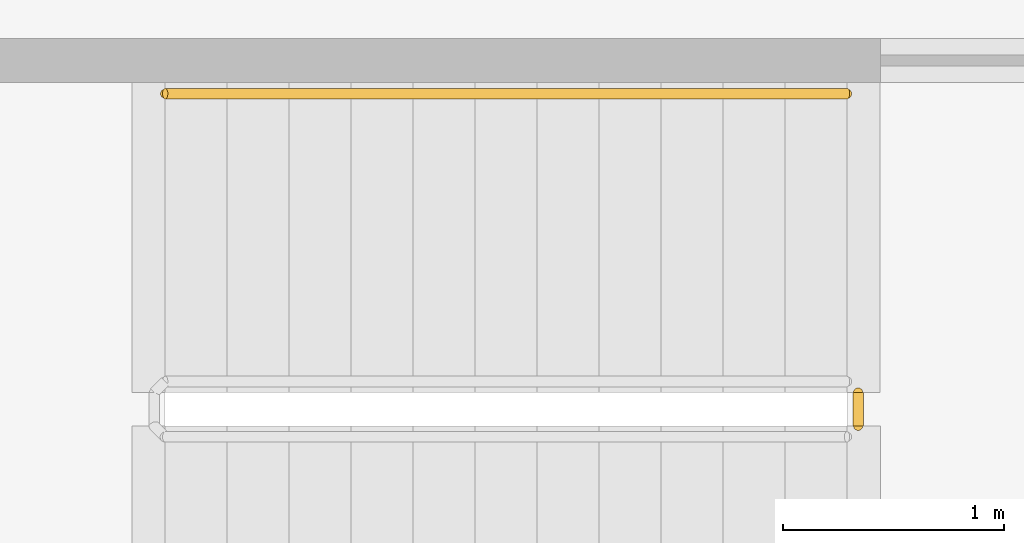
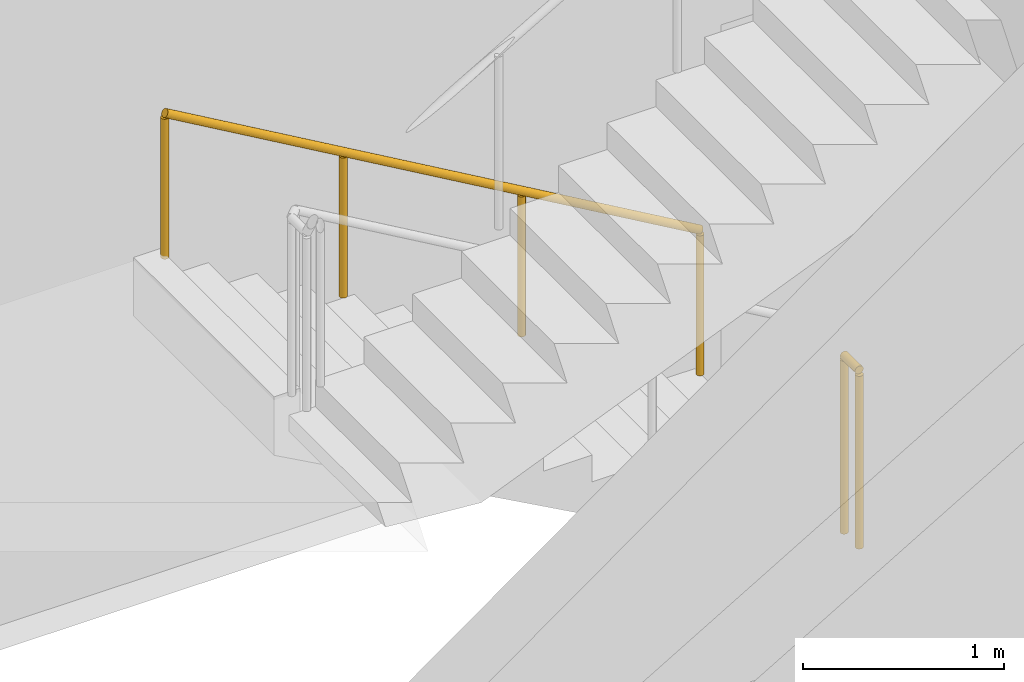
# One storey, part 18 of 21: 2 railings.
"""IFC4 building model written with IfcOpenShell, lengths in metres."""

from ifc_helpers import new_model, si_unit, direction, frame, origin, origin_2d, place, context, subcontext, project, spatial, circle, extrude, material, type_object, element, save


model = new_model("IFC4")

# Units and contexts
model_context = context("Model", 3, precision=1e-05, world=origin(), true_north=direction((0.0, 1.0)))
body_context = subcontext(model_context, "Body", "Model", "MODEL_VIEW")
ifc_project = project(units=[si_unit("LENGTHUNIT", "METRE"), si_unit("AREAUNIT", "SQUARE_METRE"), si_unit("VOLUMEUNIT", "CUBIC_METRE"), si_unit("PLANEANGLEUNIT", "RADIAN"), si_unit("MASSUNIT", "GRAM", prefix="KILO")], contexts=[model_context])

# Site, building, storey
site_placement = place(None, origin())
site = spatial("IfcSite", under=ifc_project, at=site_placement, CompositionType="ELEMENT")
building_placement = place(site_placement, origin())
building = spatial("IfcBuilding", under=site, at=building_placement, Name="Kheshtan School and Residences Tower", CompositionType="ELEMENT")
storey_placement = place(building_placement, frame((0.0, 0.0, 231.800048828125)))
storey = spatial("IfcBuildingStorey", under=building, at=storey_placement, Name="L54", CompositionType="ELEMENT", Elevation=231.800048828125)

# Railings
ifc_material_1 = material(Name="Stainless steel balustrade", Category="steel")
railing_type_1 = type_object("IfcRailingType", Name="Stair guard 1100", PredefinedType="GUARDRAIL", material=ifc_material_1)
railing_1_placement = place(storey_placement, frame((78.4599609375, 24.39990234375, 0.0)))
element("IfcRailing", 1, at=railing_1_placement, inside=storey, type_object=railing_type_1, Name="L54 ST5 stair guard 2", PredefinedType="GUARDRAIL", context=body_context, shape_type="SweptSolid", body=[
    extrude(circle(Radius=0.02392578125, at=origin_2d()), frame((0.0, 0.0, 1.076171875), z_axis=(0.0, -1.0, 0.0), x_axis=(1.0, 0.0, 0.0)), (0.0, 0.0, 1.0), 0.14990234375),
    extrude(circle(Radius=0.02099609375, at=origin_2d()), origin(), (0.0, 0.0, 1.0), 1.052001953125),
    extrude(circle(Radius=0.02099609375, at=origin_2d()), frame((0.0, -0.14990234375, 0.0)), (0.0, 0.0, 1.0), 1.052001953125),
])
ifc_material_2 = material(Name="Stainless steel handrail", Category="steel")
railing_type_2 = type_object("IfcRailingType", Name="Stair handrail 900", PredefinedType="HANDRAIL", material=ifc_material_2)
railing_2_placement = place(storey_placement, frame((78.409912109375, 25.75, 0.162353515625)))
element("IfcRailing", 2, at=railing_2_placement, inside=storey, type_object=railing_type_2, Name="L54 ST5 stair handrail 1", PredefinedType="HANDRAIL", context=body_context, shape_type="SweptSolid", body=[
    extrude(circle(Radius=0.02392578125, at=origin_2d()), frame((0.0, 0.0, 0.8759765625), z_axis=(-0.864873446163, 0.0, 0.501989962173), x_axis=(0.0, -1.0, 0.0)), (0.0, 0.0, 1.0), 3.56103515625),
    extrude(circle(Radius=0.02099609375, at=origin_2d()), origin(), (0.0, 0.0, 1.0), 0.851806640625),
    extrude(circle(Radius=0.02099609375, at=origin_2d()), frame((-1.026611328125, 0.0, 0.595947265625)), (0.0, 0.0, 1.0), 0.851806640625),
    extrude(circle(Radius=0.02099609375, at=origin_2d()), frame((-2.05322265625, 0.0, 1.191650390625)), (0.0, 0.0, 1.0), 0.851806640625),
    extrude(circle(Radius=0.02099609375, at=origin_2d()), frame((-3.079833984375, 0.0, 1.78759765625)), (0.0, 0.0, 1.0), 0.851806640625),
])

save(model, "model.ifc")
